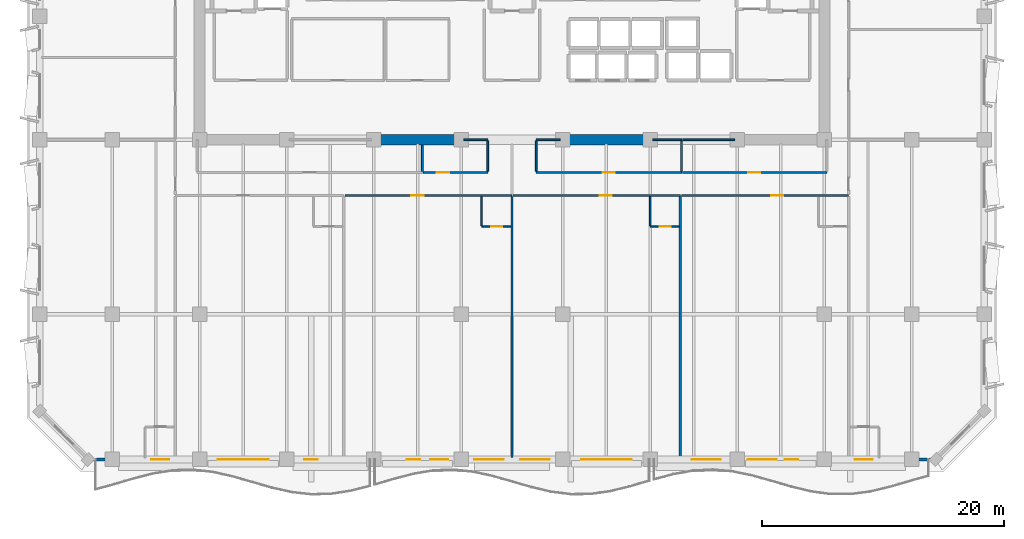
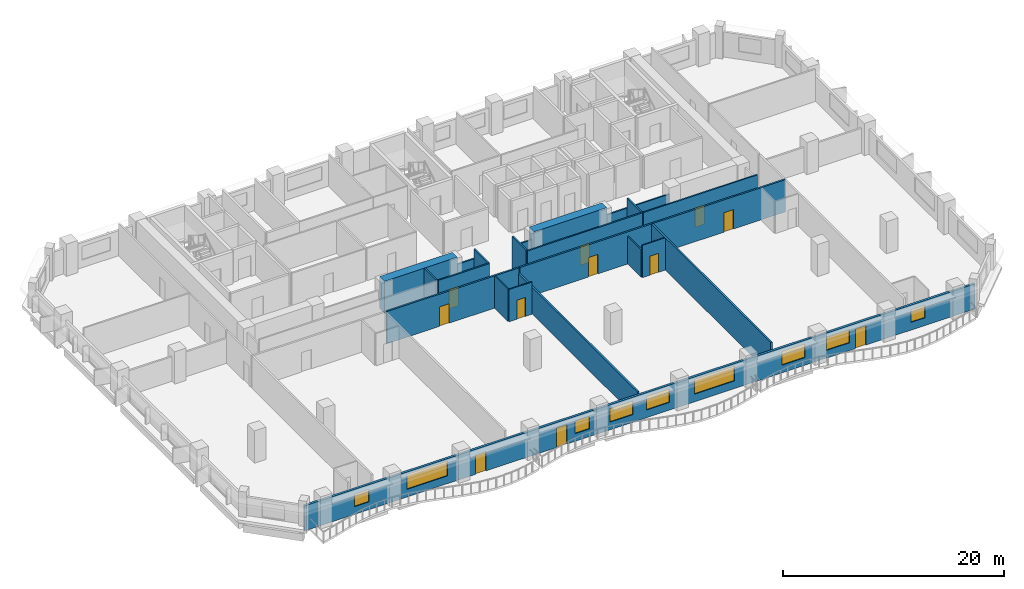
# One storey, part 5 of 14: 23 walls, 11 doors, 9 windows, 20 openings.
"""IFC4 building model written with IfcOpenShell, lengths in metres."""

from ifc_helpers import new_model, si_unit, direction, frame, frame_2d, origin, place, context, subcontext, project, spatial, rectangle, extrude, material, layer, layer_set, type_object, element, fill, save


model = new_model("IFC4")

# Units and contexts
model_context = context("Model", 3, precision=1e-05, world=origin(), true_north=direction((0.0, 1.0)))
body_context = subcontext(model_context, "Body", "Model", "MODEL_VIEW")
ifc_project = project(units=[si_unit("LENGTHUNIT", "METRE"), si_unit("AREAUNIT", "SQUARE_METRE"), si_unit("VOLUMEUNIT", "CUBIC_METRE"), si_unit("PLANEANGLEUNIT", "RADIAN"), si_unit("MASSUNIT", "GRAM", prefix="KILO")], contexts=[model_context])

# Site, building, storey
site_placement = place(None, origin())
site = spatial("IfcSite", under=ifc_project, at=site_placement, CompositionType="ELEMENT")
building_placement = place(site_placement, origin())
building = spatial("IfcBuilding", under=site, at=building_placement, Name="Kaelvorn Grand Hotel", CompositionType="ELEMENT")
storey_placement = place(building_placement, frame((0.0, 0.0, 220.550048828125)))
storey = spatial("IfcBuildingStorey", under=building, at=storey_placement, Name="L54", CompositionType="ELEMENT", Elevation=220.550048828125)

# Walls
ifc_material_1 = material(Name="Concrete C60/75", Category="concrete")
ifc_layer_1 = layer(ifc_material_1, 0.89990234375)
ifc_layer_set_1 = layer_set([ifc_layer_1], Name="Concrete C60/75")
wall_type_1 = type_object("IfcWallType", Name="WL-CORE-900-C60", PredefinedType="SHEAR", material=ifc_layer_set_1)
for number, where, z_axis, x_axis, name in (
    (1, (30.39990234375, 29.39990234375, 0.0), (0.0, 0.0, 1.0), (1.0, 0.0, 0.0), "L54 Rear-Core Coupled Shear Pier S2"),
    (2, (46.0, 29.39990234375, 0.0), (0.0, 0.0, 1.0), (1.0, 0.0, 0.0), "L54 Rear-Core Coupled Shear Pier S3"),
):
    element("IfcWall", number, at=place(storey_placement, frame(where, z_axis=z_axis, x_axis=x_axis)), inside=storey, type_object=wall_type_1, Name=name, PredefinedType="SHEAR", context=body_context, shape_type="SweptSolid", body=[
        extrude(rectangle(XDim=7.60009765625, YDim=0.89990234375, at=frame_2d((3.800048828125, 0.0))), origin(), (0.0, 0.0, 1.0), 3.56005859375),
    ])

# Wall, openings, doors, windows
ifc_material_2 = material(Name="Concrete C40/50", Category="concrete")
ifc_layer_2 = layer(ifc_material_2, 0.239990234375)
ifc_layer_set_2 = layer_set([ifc_layer_2], Name="Concrete C40/50")
wall_type_2 = type_object("IfcWallType", Name="WL-EXT-240-C40", PredefinedType="SOLIDWALL", material=ifc_layer_set_2)
wall_1_placement = place(storey_placement, frame((7.0, 3.0, 0.0), z_axis=(0.0, 0.0, 1.0), x_axis=(1.0, 0.0, 0.0)))
wall_1 = element("IfcWall", 3, at=wall_1_placement, inside=storey, type_object=wall_type_2, Name="L54 Exterior Architectural Concrete Wall 01", PredefinedType="SOLIDWALL", context=body_context, shape_type="SweptSolid", body=[
    extrude(rectangle(XDim=70.0, YDim=0.239990234375, at=frame_2d((35.0, 0.0))), origin(), (0.0, 0.0, 1.0), 2.760009765625),
])
opening_1_placement = place(wall_1_placement, frame((17.859619140625, 0.0, 0.0)))
opening_1 = element("IfcOpeningElement", 4, at=opening_1_placement, cuts=wall_1, Name="Opening DE2", PredefinedType="OPENING", context=body_context, shape_type="SweptSolid", body=[
    extrude(rectangle(XDim=1.10009765625, YDim=2.14990234375, at=frame_2d((0.550048828125, 1.074951171875))), frame((0.0, 0.1298828125, 0.0), z_axis=(0.0, -1.0, 0.0), x_axis=(1.0, 0.0, 0.0)), (0.0, 0.0, 1.0), 0.260009765625),
])
opening_2_placement = place(wall_1_placement, frame((26.316650390625, 0.0, 0.0)))
opening_2 = element("IfcOpeningElement", 5, at=opening_2_placement, cuts=wall_1, Name="Opening DE2", PredefinedType="OPENING", context=body_context, shape_type="SweptSolid", body=[
    extrude(rectangle(XDim=1.10009765625, YDim=2.14990234375, at=frame_2d((0.550048828125, 1.074951171875))), frame((0.0, 0.1298828125, 0.0), z_axis=(0.0, -1.0, 0.0), x_axis=(1.0, 0.0, 0.0)), (0.0, 0.0, 1.0), 0.260009765625),
])
opening_3_placement = place(wall_1_placement, frame((57.5166015625, 0.0, 0.0)))
opening_3 = element("IfcOpeningElement", 6, at=opening_3_placement, cuts=wall_1, Name="Opening DE2", PredefinedType="OPENING", context=body_context, shape_type="SweptSolid", body=[
    extrude(rectangle(XDim=1.10009765625, YDim=2.14990234375, at=frame_2d((0.550048828125, 1.074951171875))), frame((0.0, 0.1298828125, 0.0), z_axis=(0.0, -1.0, 0.0), x_axis=(1.0, 0.0, 0.0)), (0.0, 0.0, 1.0), 0.260009765625),
])
opening_4_placement = place(wall_1_placement, frame((5.199951171875, 0.0, 0.85009765625)))
opening_4 = element("IfcOpeningElement", 7, at=opening_4_placement, cuts=wall_1, Name="Opening W10", PredefinedType="OPENING", context=body_context, shape_type="SweptSolid", body=[
    extrude(rectangle(XDim=1.5, YDim=1.39990234375, at=frame_2d((0.75, 0.699951171875))), frame((0.0, 0.1298828125, 0.0), z_axis=(0.0, -1.0, 0.0), x_axis=(1.0, 0.0, 0.0)), (0.0, 0.0, 1.0), 0.260009765625),
])
opening_5_placement = place(wall_1_placement, frame((10.699951171875, 0.0, 0.85009765625)))
opening_5 = element("IfcOpeningElement", 8, at=opening_5_placement, cuts=wall_1, Name="Opening W2", PredefinedType="OPENING", context=body_context, shape_type="SweptSolid", body=[
    extrude(rectangle(XDim=4.199951171875, YDim=1.64990234375, at=frame_2d((2.10009765625, 0.824951171875))), frame((0.0, 0.1298828125, 0.0), z_axis=(0.0, -1.0, 0.0), x_axis=(1.0, 0.0, 0.0)), (0.0, 0.0, 1.0), 0.260009765625),
])
opening_6_placement = place(wall_1_placement, frame((28.243408203125, 0.0, 0.85009765625)))
opening_6 = element("IfcOpeningElement", 9, at=opening_6_placement, cuts=wall_1, Name="Opening W10", PredefinedType="OPENING", context=body_context, shape_type="SweptSolid", body=[
    extrude(rectangle(XDim=1.5, YDim=1.39990234375, at=frame_2d((0.75, 0.699951171875))), frame((0.0, 0.1298828125, 0.0), z_axis=(0.0, -1.0, 0.0), x_axis=(1.0, 0.0, 0.0)), (0.0, 0.0, 1.0), 0.260009765625),
])
opening_7_placement = place(wall_1_placement, frame((31.89990234375, 0.0, 0.85009765625)))
opening_7 = element("IfcOpeningElement", 10, at=opening_7_placement, cuts=wall_1, Name="Opening W6", PredefinedType="OPENING", context=body_context, shape_type="SweptSolid", body=[
    extrude(rectangle(XDim=2.39990234375, YDim=1.5, at=frame_2d((1.199951171875, 0.75))), frame((0.0, 0.1298828125, 0.0), z_axis=(0.0, -1.0, 0.0), x_axis=(1.0, 0.0, 0.0)), (0.0, 0.0, 1.0), 0.260009765625),
])
opening_8_placement = place(wall_1_placement, frame((35.699951171875, 0.0, 0.85009765625)))
opening_8 = element("IfcOpeningElement", 11, at=opening_8_placement, cuts=wall_1, Name="Opening W6", PredefinedType="OPENING", context=body_context, shape_type="SweptSolid", body=[
    extrude(rectangle(XDim=2.39990234375, YDim=1.5, at=frame_2d((1.199951171875, 0.75))), frame((0.0, 0.1298828125, 0.0), z_axis=(0.0, -1.0, 0.0), x_axis=(1.0, 0.0, 0.0)), (0.0, 0.0, 1.0), 0.260009765625),
])
opening_9_placement = place(wall_1_placement, frame((40.699951171875, 0.0, 0.85009765625)))
opening_9 = element("IfcOpeningElement", 12, at=opening_9_placement, cuts=wall_1, Name="Opening W2", PredefinedType="OPENING", context=body_context, shape_type="SweptSolid", body=[
    extrude(rectangle(XDim=4.199951171875, YDim=1.64990234375, at=frame_2d((2.10009765625, 0.824951171875))), frame((0.0, 0.1298828125, 0.0), z_axis=(0.0, -1.0, 0.0), x_axis=(1.0, 0.0, 0.0)), (0.0, 0.0, 1.0), 0.260009765625),
])
opening_10_placement = place(wall_1_placement, frame((49.85009765625, 0.0, 0.85009765625)))
opening_10 = element("IfcOpeningElement", 13, at=opening_10_placement, cuts=wall_1, Name="Opening W6", PredefinedType="OPENING", context=body_context, shape_type="SweptSolid", body=[
    extrude(rectangle(XDim=2.39990234375, YDim=1.5, at=frame_2d((1.199951171875, 0.75))), frame((0.0, 0.1298828125, 0.0), z_axis=(0.0, -1.0, 0.0), x_axis=(1.0, 0.0, 0.0)), (0.0, 0.0, 1.0), 0.260009765625),
])
opening_11_placement = place(wall_1_placement, frame((54.473388671875, 0.0, 0.85009765625)))
opening_11 = element("IfcOpeningElement", 14, at=opening_11_placement, cuts=wall_1, Name="Opening W6", PredefinedType="OPENING", context=body_context, shape_type="SweptSolid", body=[
    extrude(rectangle(XDim=2.39990234375, YDim=1.5, at=frame_2d((1.199951171875, 0.75))), frame((0.0, 0.1298828125, 0.0), z_axis=(0.0, -1.0, 0.0), x_axis=(1.0, 0.0, 0.0)), (0.0, 0.0, 1.0), 0.260009765625),
])
opening_12_placement = place(wall_1_placement, frame((63.300048828125, 0.0, 0.85009765625)))
opening_12 = element("IfcOpeningElement", 15, at=opening_12_placement, cuts=wall_1, Name="Opening W10", PredefinedType="OPENING", context=body_context, shape_type="SweptSolid", body=[
    extrude(rectangle(XDim=1.5, YDim=1.39990234375, at=frame_2d((0.75, 0.699951171875))), frame((0.0, 0.1298828125, 0.0), z_axis=(0.0, -1.0, 0.0), x_axis=(1.0, 0.0, 0.0)), (0.0, 0.0, 1.0), 0.260009765625),
])
ifc_material_3 = material(Name="Anodised Aluminium", Category="aluminium")
door_type_1 = type_object("IfcDoorType", Name="DR-EXT-BALC-1100x2150", OperationType="NOTDEFINED", PredefinedType="DOOR", material=ifc_material_3)
door_1_placement = place(opening_1_placement, origin())
door_1 = element("IfcDoor", 16, at=door_1_placement, inside=storey, type_object=door_type_1, Name="L54 Scalloped Balcony Glazed Door DE2-1", OperationType="SINGLE_SWING_LEFT", OverallHeight=2.14990234375, OverallWidth=1.10009765625, PredefinedType="DOOR", context=body_context, shape_type="SweptSolid", body=[
    extrude(rectangle(XDim=1.10009765625, YDim=2.14990234375, at=frame_2d((0.550048828125, 1.074951171875))), frame((0.0, 0.02490234375, 0.0), z_axis=(0.0, -1.0, 0.0), x_axis=(1.0, 0.0, 0.0)), (0.0, 0.0, 1.0), 0.050048828125),
])
fill(opening_1, door_1)
door_2_placement = place(opening_2_placement, origin())
door_2 = element("IfcDoor", 17, at=door_2_placement, inside=storey, type_object=door_type_1, Name="L54 Scalloped Balcony Glazed Door DE2-2", OperationType="SINGLE_SWING_RIGHT", OverallHeight=2.14990234375, OverallWidth=1.10009765625, PredefinedType="DOOR", context=body_context, shape_type="SweptSolid", body=[
    extrude(rectangle(XDim=1.10009765625, YDim=2.14990234375, at=frame_2d((0.550048828125, 1.074951171875))), frame((0.0, 0.02490234375, 0.0), z_axis=(0.0, -1.0, 0.0), x_axis=(1.0, 0.0, 0.0)), (0.0, 0.0, 1.0), 0.050048828125),
])
fill(opening_2, door_2)
door_3_placement = place(opening_3_placement, origin())
door_3 = element("IfcDoor", 18, at=door_3_placement, inside=storey, type_object=door_type_1, Name="L54 Scalloped Balcony Glazed Door DE2-3", OperationType="SINGLE_SWING_LEFT", OverallHeight=2.14990234375, OverallWidth=1.10009765625, PredefinedType="DOOR", context=body_context, shape_type="SweptSolid", body=[
    extrude(rectangle(XDim=1.10009765625, YDim=2.14990234375, at=frame_2d((0.550048828125, 1.074951171875))), frame((0.0, 0.02490234375, 0.0), z_axis=(0.0, -1.0, 0.0), x_axis=(1.0, 0.0, 0.0)), (0.0, 0.0, 1.0), 0.050048828125),
])
fill(opening_3, door_3)
ifc_material_4 = material(Name="Laminated Low-E Glass", Category="glass")
window_type_1 = type_object("IfcWindowType", Name="WIN-COR-1500x1400", PartitioningType="SINGLE_PANEL", PredefinedType="WINDOW", material=ifc_material_4)
window_1_placement = place(opening_4_placement, origin())
window_1 = element("IfcWindow", 19, at=window_1_placement, inside=storey, type_object=window_type_1, Name="L54 South Guestroom Ribbon Window SR01", OverallHeight=1.39990234375, OverallWidth=1.5, PartitioningType="SINGLE_PANEL", PredefinedType="WINDOW", context=body_context, shape_type="SweptSolid", body=[
    extrude(rectangle(XDim=1.5, YDim=1.39990234375, at=frame_2d((0.75, 0.699951171875))), frame((0.0, 0.030029296875, 0.0), z_axis=(0.0, -1.0, 0.0), x_axis=(1.0, 0.0, 0.0)), (0.0, 0.0, 1.0), 0.06005859375),
])
fill(opening_4, window_1)
window_2_placement = place(opening_6_placement, origin())
window_2 = element("IfcWindow", 20, at=window_2_placement, inside=storey, type_object=window_type_1, Name="L54 South Guestroom Ribbon Window SR03", OverallHeight=1.39990234375, OverallWidth=1.5, PartitioningType="SINGLE_PANEL", PredefinedType="WINDOW", context=body_context, shape_type="SweptSolid", body=[
    extrude(rectangle(XDim=1.5, YDim=1.39990234375, at=frame_2d((0.75, 0.699951171875))), frame((0.0, 0.030029296875, 0.0), z_axis=(0.0, -1.0, 0.0), x_axis=(1.0, 0.0, 0.0)), (0.0, 0.0, 1.0), 0.06005859375),
])
fill(opening_6, window_2)
window_3_placement = place(opening_12_placement, origin())
window_3 = element("IfcWindow", 21, at=window_3_placement, inside=storey, type_object=window_type_1, Name="L54 South Guestroom Ribbon Window SR09", OverallHeight=1.39990234375, OverallWidth=1.5, PartitioningType="SINGLE_PANEL", PredefinedType="WINDOW", context=body_context, shape_type="SweptSolid", body=[
    extrude(rectangle(XDim=1.5, YDim=1.39990234375, at=frame_2d((0.75, 0.699951171875))), frame((0.0, 0.030029296875, 0.0), z_axis=(0.0, -1.0, 0.0), x_axis=(1.0, 0.0, 0.0)), (0.0, 0.0, 1.0), 0.06005859375),
])
fill(opening_12, window_3)
window_type_2 = type_object("IfcWindowType", Name="WIN-NTH-2400x1500", PartitioningType="SINGLE_PANEL", PredefinedType="WINDOW", material=ifc_material_4)
window_4_placement = place(opening_7_placement, origin())
window_4 = element("IfcWindow", 22, at=window_4_placement, inside=storey, type_object=window_type_2, Name="L54 South Guestroom Ribbon Window SR04", OverallHeight=1.5, OverallWidth=2.39990234375, PartitioningType="SINGLE_PANEL", PredefinedType="WINDOW", context=body_context, shape_type="SweptSolid", body=[
    extrude(rectangle(XDim=2.39990234375, YDim=1.5, at=frame_2d((1.199951171875, 0.75))), frame((0.0, 0.030029296875, 0.0), z_axis=(0.0, -1.0, 0.0), x_axis=(1.0, 0.0, 0.0)), (0.0, 0.0, 1.0), 0.06005859375),
])
fill(opening_7, window_4)
window_5_placement = place(opening_8_placement, origin())
window_5 = element("IfcWindow", 23, at=window_5_placement, inside=storey, type_object=window_type_2, Name="L54 South Guestroom Ribbon Window SR05", OverallHeight=1.5, OverallWidth=2.39990234375, PartitioningType="SINGLE_PANEL", PredefinedType="WINDOW", context=body_context, shape_type="SweptSolid", body=[
    extrude(rectangle(XDim=2.39990234375, YDim=1.5, at=frame_2d((1.199951171875, 0.75))), frame((0.0, 0.030029296875, 0.0), z_axis=(0.0, -1.0, 0.0), x_axis=(1.0, 0.0, 0.0)), (0.0, 0.0, 1.0), 0.06005859375),
])
fill(opening_8, window_5)
window_6_placement = place(opening_10_placement, origin())
window_6 = element("IfcWindow", 24, at=window_6_placement, inside=storey, type_object=window_type_2, Name="L54 South Guestroom Ribbon Window SR07", OverallHeight=1.5, OverallWidth=2.39990234375, PartitioningType="SINGLE_PANEL", PredefinedType="WINDOW", context=body_context, shape_type="SweptSolid", body=[
    extrude(rectangle(XDim=2.39990234375, YDim=1.5, at=frame_2d((1.199951171875, 0.75))), frame((0.0, 0.030029296875, 0.0), z_axis=(0.0, -1.0, 0.0), x_axis=(1.0, 0.0, 0.0)), (0.0, 0.0, 1.0), 0.06005859375),
])
fill(opening_10, window_6)
window_7_placement = place(opening_11_placement, origin())
window_7 = element("IfcWindow", 25, at=window_7_placement, inside=storey, type_object=window_type_2, Name="L54 South Guestroom Ribbon Window SR08", OverallHeight=1.5, OverallWidth=2.39990234375, PartitioningType="SINGLE_PANEL", PredefinedType="WINDOW", context=body_context, shape_type="SweptSolid", body=[
    extrude(rectangle(XDim=2.39990234375, YDim=1.5, at=frame_2d((1.199951171875, 0.75))), frame((0.0, 0.030029296875, 0.0), z_axis=(0.0, -1.0, 0.0), x_axis=(1.0, 0.0, 0.0)), (0.0, 0.0, 1.0), 0.06005859375),
])
fill(opening_11, window_7)
window_type_3 = type_object("IfcWindowType", Name="WIN-RIB-4200x1650", PartitioningType="SINGLE_PANEL", PredefinedType="WINDOW", material=ifc_material_4)
window_8_placement = place(opening_5_placement, origin())
window_8 = element("IfcWindow", 26, at=window_8_placement, inside=storey, type_object=window_type_3, Name="L54 South Guestroom Ribbon Window SR02", OverallHeight=1.64990234375, OverallWidth=4.199951171875, PartitioningType="SINGLE_PANEL", PredefinedType="WINDOW", context=body_context, shape_type="SweptSolid", body=[
    extrude(rectangle(XDim=4.199951171875, YDim=1.64990234375, at=frame_2d((2.10009765625, 0.824951171875))), frame((0.0, 0.030029296875, 0.0), z_axis=(0.0, -1.0, 0.0), x_axis=(1.0, 0.0, 0.0)), (0.0, 0.0, 1.0), 0.06005859375),
])
fill(opening_5, window_8)
window_9_placement = place(opening_9_placement, origin())
window_9 = element("IfcWindow", 27, at=window_9_placement, inside=storey, type_object=window_type_3, Name="L54 South Guestroom Ribbon Window SR06", OverallHeight=1.64990234375, OverallWidth=4.199951171875, PartitioningType="SINGLE_PANEL", PredefinedType="WINDOW", context=body_context, shape_type="SweptSolid", body=[
    extrude(rectangle(XDim=4.199951171875, YDim=1.64990234375, at=frame_2d((2.10009765625, 0.824951171875))), frame((0.0, 0.030029296875, 0.0), z_axis=(0.0, -1.0, 0.0), x_axis=(1.0, 0.0, 0.0)), (0.0, 0.0, 1.0), 0.06005859375),
])
fill(opening_9, window_9)

# Wall, opening, door
ifc_material_5 = material(Name="Moisture-Resistant Tile & Stud Board")
ifc_layer_3 = layer(ifc_material_5, 0.125)
ifc_layer_set_3 = layer_set([ifc_layer_3], Name="Moisture-Resistant Tile & Stud Board")
wall_type_3 = type_object("IfcWallType", Name="WL-PART-125-WET", PredefinedType="PARTITIONING", material=ifc_layer_set_3)
wall_2_placement = place(storey_placement, frame((39.5, 22.25, 0.0), z_axis=(0.0, 0.0, 1.0), x_axis=(1.0, 0.0, 0.0)))
wall_2 = element("IfcWall", 28, at=wall_2_placement, inside=storey, type_object=wall_type_3, Name="L54 En-suite Bathroom L54-02 S Partition", PredefinedType="PARTITIONING", context=body_context, shape_type="SweptSolid", body=[
    extrude(rectangle(XDim=2.405029296875, YDim=0.125, at=frame_2d((1.20263671875, 0.0))), origin(), (0.0, 0.0, 1.0), 3.56005859375),
])
opening_13_placement = place(wall_2_placement, frame((0.800048828125, 0.0, 0.0)))
opening_13 = element("IfcOpeningElement", 29, at=opening_13_placement, cuts=wall_2, Name="Opening DI4", PredefinedType="OPENING", context=body_context, shape_type="SweptSolid", body=[
    extrude(rectangle(XDim=0.89990234375, YDim=2.10009765625, at=frame_2d((0.449951171875, 1.050048828125))), frame((0.0, 0.072509765625, 0.0), z_axis=(0.0, -1.0, 0.0), x_axis=(1.0, 0.0, 0.0)), (0.0, 0.0, 1.0), 0.14501953125),
])
ifc_material_6 = material(Name="Timber Veneer Leaf", Category="wood")
door_type_2 = type_object("IfcDoorType", Name="DR-INT-BATH-900x2100", OperationType="NOTDEFINED", PredefinedType="DOOR", material=ifc_material_6)
door_4_placement = place(opening_13_placement, origin())
door_4 = element("IfcDoor", 30, at=door_4_placement, inside=storey, type_object=door_type_2, Name="L54 En-suite Bathroom L54-02 Door", OperationType="SINGLE_SWING_LEFT", OverallHeight=2.10009765625, OverallWidth=0.89990234375, PredefinedType="DOOR", context=body_context, shape_type="SweptSolid", body=[
    extrude(rectangle(XDim=0.89990234375, YDim=2.10009765625, at=frame_2d((0.449951171875, 1.050048828125))), frame((0.0, 0.02490234375, 0.0), z_axis=(0.0, -1.0, 0.0), x_axis=(1.0, 0.0, 0.0)), (0.0, 0.0, 1.0), 0.050048828125),
])
fill(opening_13, door_4)

# Wall
wall_3_placement = place(storey_placement, frame((39.5, 22.3173828125, 0.0), z_axis=(0.0, 0.0, 1.0), x_axis=(0.0, 1.0, 0.0)))
element("IfcWall", 31, at=wall_3_placement, inside=storey, type_object=wall_type_3, Name="L54 En-suite Bathroom L54-02 W Partition", PredefinedType="PARTITIONING", context=body_context, shape_type="SweptSolid", body=[
    extrude(rectangle(XDim=2.3876953125, YDim=0.125, at=frame_2d((1.19384765625, 0.0))), origin(), (0.0, 0.0, 1.0), 3.56005859375),
])

# Wall, opening, door
wall_4_placement = place(storey_placement, frame((53.39990234375, 22.25, 0.0), z_axis=(0.0, 0.0, 1.0), x_axis=(1.0, 0.0, 0.0)))
wall_4 = element("IfcWall", 32, at=wall_4_placement, inside=storey, type_object=wall_type_3, Name="L54 En-suite Bathroom L54-03 S Partition", PredefinedType="PARTITIONING", context=body_context, shape_type="SweptSolid", body=[
    extrude(rectangle(XDim=2.405029296875, YDim=0.125, at=frame_2d((1.20263671875, 0.0))), origin(), (0.0, 0.0, 1.0), 3.56005859375),
])
opening_14_placement = place(wall_4_placement, frame((0.800048828125, 0.0, 0.0)))
opening_14 = element("IfcOpeningElement", 33, at=opening_14_placement, cuts=wall_4, Name="Opening DI4", PredefinedType="OPENING", context=body_context, shape_type="SweptSolid", body=[
    extrude(rectangle(XDim=0.89990234375, YDim=2.10009765625, at=frame_2d((0.449951171875, 1.050048828125))), frame((0.0, 0.072509765625, 0.0), z_axis=(0.0, -1.0, 0.0), x_axis=(1.0, 0.0, 0.0)), (0.0, 0.0, 1.0), 0.14501953125),
])
door_5_placement = place(opening_14_placement, origin())
door_5 = element("IfcDoor", 34, at=door_5_placement, inside=storey, type_object=door_type_2, Name="L54 En-suite Bathroom L54-03 Door", OperationType="SINGLE_SWING_LEFT", OverallHeight=2.10009765625, OverallWidth=0.89990234375, PredefinedType="DOOR", context=body_context, shape_type="SweptSolid", body=[
    extrude(rectangle(XDim=0.89990234375, YDim=2.10009765625, at=frame_2d((0.449951171875, 1.050048828125))), frame((0.0, 0.02490234375, 0.0), z_axis=(0.0, -1.0, 0.0), x_axis=(1.0, 0.0, 0.0)), (0.0, 0.0, 1.0), 0.050048828125),
])
fill(opening_14, door_5)

# Walls
wall_5_placement = place(storey_placement, frame((53.39990234375, 22.3173828125, 0.0), z_axis=(0.0, 0.0, 1.0), x_axis=(0.0, 1.0, 0.0)))
element("IfcWall", 35, at=wall_5_placement, inside=storey, type_object=wall_type_3, Name="L54 En-suite Bathroom L54-03 W Partition", PredefinedType="PARTITIONING", context=body_context, shape_type="SweptSolid", body=[
    extrude(rectangle(XDim=2.3876953125, YDim=0.125, at=frame_2d((1.19384765625, 0.0))), origin(), (0.0, 0.0, 1.0), 3.06005859375),
])
ifc_material_7 = material(Name="Acoustic Gypsum & Stud Partition")
ifc_layer_4 = layer(ifc_material_7, 0.14990234375)
ifc_layer_set_4 = layer_set([ifc_layer_4], Name="Acoustic Gypsum & Stud Partition")
wall_type_4 = type_object("IfcWallType", Name="WL-PART-150-EI60", PredefinedType="PARTITIONING", material=ifc_layer_set_4)
wall_6_placement = place(storey_placement, frame((34.60009765625, 26.780029296875, 0.0), z_axis=(0.0, 0.0, 1.0), x_axis=(0.0, 1.0, 0.0)))
element("IfcWall", 36, at=wall_6_placement, inside=storey, type_object=wall_type_4, Name="L54 Botanical Conservatory Salon E Partition", PredefinedType="PARTITIONING", context=body_context, shape_type="SweptSolid", body=[
    extrude(rectangle(XDim=2.1650390625, YDim=0.14990234375, at=frame_2d((1.08251953125, 0.0))), origin(), (0.0, 0.0, 1.0), 3.56005859375),
])

# Wall, opening, door
wall_7_placement = place(storey_placement, frame((34.679931640625, 26.699951171875, 0.0), z_axis=(0.0, 0.0, 1.0), x_axis=(1.0, 0.0, 0.0)))
wall_7 = element("IfcWall", 37, at=wall_7_placement, inside=storey, type_object=wall_type_4, Name="L54 Catering Servery Kitchen S Partition", PredefinedType="PARTITIONING", context=body_context, shape_type="SweptSolid", body=[
    extrude(rectangle(XDim=5.320068359375, YDim=0.14990234375, at=frame_2d((2.66015625, 0.0))), origin(), (0.0, 0.0, 1.0), 3.56005859375),
])
opening_15_placement = place(wall_7_placement, frame((1.1201171875, 0.0, 0.0)))
opening_15 = element("IfcOpeningElement", 38, at=opening_15_placement, cuts=wall_7, Name="Opening DI3", PredefinedType="OPENING", context=body_context, shape_type="SweptSolid", body=[
    extrude(rectangle(XDim=1.0, YDim=2.14990234375, at=frame_2d((0.5, 1.074951171875))), frame((0.0, 0.0849609375, 0.0), z_axis=(0.0, -1.0, 0.0), x_axis=(1.0, 0.0, 0.0)), (0.0, 0.0, 1.0), 0.169921875),
])
ifc_material_8 = material(Name="Timber Veneer Fire Leaf", Category="wood")
door_type_3 = type_object("IfcDoorType", Name="DR-INT-GUEST-1000x2150", OperationType="NOTDEFINED", PredefinedType="DOOR", material=ifc_material_8)
door_6_placement = place(opening_15_placement, origin())
door_6 = element("IfcDoor", 39, at=door_6_placement, inside=storey, type_object=door_type_3, Name="L54 Catering Servery Kitchen Door", OperationType="SINGLE_SWING_LEFT", OverallHeight=2.14990234375, OverallWidth=1.0, PredefinedType="DOOR", context=body_context, shape_type="SweptSolid", body=[
    extrude(rectangle(XDim=1.0, YDim=2.14990234375, at=frame_2d((0.5, 1.074951171875))), frame((0.0, 0.02490234375, 0.0), z_axis=(0.0, -1.0, 0.0), x_axis=(1.0, 0.0, 0.0)), (0.0, 0.0, 1.0), 0.050048828125),
])
fill(opening_15, door_6)

# Walls
wall_8_placement = place(storey_placement, frame((38.010009765625, 29.39990234375, 0.0), z_axis=(0.0, 0.0, 1.0), x_axis=(1.0, 0.0, 0.0)))
element("IfcWall", 40, at=wall_8_placement, inside=storey, type_object=wall_type_4, Name="L54 Catering Servery Kitchen N Partition", PredefinedType="PARTITIONING", context=body_context, shape_type="SweptSolid", body=[
    extrude(rectangle(XDim=1.989990234375, YDim=0.14990234375, at=frame_2d((0.9951171875, 0.0))), origin(), (0.0, 0.0, 1.0), 2.4599609375),
])
wall_9_placement = place(storey_placement, frame((40.0, 26.780029296875, 0.0), z_axis=(0.0, 0.0, 1.0), x_axis=(0.0, 1.0, 0.0)))
element("IfcWall", 41, at=wall_9_placement, inside=storey, type_object=wall_type_4, Name="L54 Catering Servery Kitchen E Partition", PredefinedType="PARTITIONING", context=body_context, shape_type="SweptSolid", body=[
    extrude(rectangle(XDim=2.5400390625, YDim=0.14990234375, at=frame_2d((1.27001953125, 0.0))), origin(), (0.0, 0.0, 1.0), 3.56005859375),
])

# Wall, opening, door
wall_10_placement = place(storey_placement, frame((44.0, 26.699951171875, 0.0), z_axis=(0.0, 0.0, 1.0), x_axis=(1.0, 0.0, 0.0)))
wall_10 = element("IfcWall", 42, at=wall_10_placement, inside=storey, type_object=wall_type_4, Name="L54 Presidential Living Room S Partition", PredefinedType="PARTITIONING", context=body_context, shape_type="SweptSolid", body=[
    extrude(rectangle(XDim=12.0, YDim=0.14990234375, at=frame_2d((6.0, 0.0))), origin(), (0.0, 0.0, 1.0), 3.56005859375),
])
opening_16_placement = place(wall_10_placement, frame((5.5, 0.0, 0.0)))
opening_16 = element("IfcOpeningElement", 43, at=opening_16_placement, cuts=wall_10, Name="Opening DI3", PredefinedType="OPENING", context=body_context, shape_type="SweptSolid", body=[
    extrude(rectangle(XDim=1.0, YDim=2.14990234375, at=frame_2d((0.5, 1.074951171875))), frame((0.0, 0.0849609375, 0.0), z_axis=(0.0, -1.0, 0.0), x_axis=(1.0, 0.0, 0.0)), (0.0, 0.0, 1.0), 0.169921875),
])
door_7_placement = place(opening_16_placement, origin())
door_7 = element("IfcDoor", 44, at=door_7_placement, inside=storey, type_object=door_type_3, Name="L54 Presidential Living Room Door", OperationType="SINGLE_SWING_RIGHT", OverallHeight=2.14990234375, OverallWidth=1.0, PredefinedType="DOOR", context=body_context, shape_type="SweptSolid", body=[
    extrude(rectangle(XDim=1.0, YDim=2.14990234375, at=frame_2d((0.5, 1.074951171875))), frame((0.0, 0.02490234375, 0.0), z_axis=(0.0, -1.0, 0.0), x_axis=(1.0, 0.0, 0.0)), (0.0, 0.0, 1.0), 0.050048828125),
])
fill(opening_16, door_7)

# Walls
wall_11_placement = place(storey_placement, frame((44.0, 29.39990234375, 0.0), z_axis=(0.0, 0.0, 1.0), x_axis=(1.0, 0.0, 0.0)))
element("IfcWall", 45, at=wall_11_placement, inside=storey, type_object=wall_type_4, Name="L54 Presidential Living Room N Partition (1)", PredefinedType="PARTITIONING", context=body_context, shape_type="SweptSolid", body=[
    extrude(rectangle(XDim=1.989990234375, YDim=0.14990234375, at=frame_2d((0.9951171875, 0.0))), origin(), (0.0, 0.0, 1.0), 2.4599609375),
])
wall_12_placement = place(storey_placement, frame((53.610107421875, 29.39990234375, 0.0), z_axis=(0.0, 0.0, 1.0), x_axis=(1.0, 0.0, 0.0)))
element("IfcWall", 46, at=wall_12_placement, inside=storey, type_object=wall_type_4, Name="L54 Presidential Living Room N Partition (2)", PredefinedType="PARTITIONING", context=body_context, shape_type="SweptSolid", body=[
    extrude(rectangle(XDim=2.389892578125, YDim=0.14990234375, at=frame_2d((1.19482421875, 0.0))), origin(), (0.0, 0.0, 1.0), 2.4599609375),
])
for number, where, z_axis, x_axis, name in (
    (47, (44.0, 26.780029296875, 0.0), (0.0, 0.0, 1.0), (0.0, 1.0, 0.0), "L54 Presidential Living Room W Partition"),
    (48, (56.0, 26.780029296875, 0.0), (0.0, 0.0, 1.0), (0.0, 1.0, 0.0), "L54 Presidential Living Room E Partition"),
):
    element("IfcWall", number, at=place(storey_placement, frame(where, z_axis=z_axis, x_axis=x_axis)), inside=storey, type_object=wall_type_4, Name=name, PredefinedType="PARTITIONING", context=body_context, shape_type="SweptSolid", body=[
        extrude(rectangle(XDim=2.5400390625, YDim=0.14990234375, at=frame_2d((1.27001953125, 0.0))), origin(), (0.0, 0.0, 1.0), 3.56005859375),
    ])

# Wall, opening, door
wall_13_placement = place(storey_placement, frame((56.080078125, 26.699951171875, 0.0), z_axis=(0.0, 0.0, 1.0), x_axis=(1.0, 0.0, 0.0)))
wall_13 = element("IfcWall", 49, at=wall_13_placement, inside=storey, type_object=wall_type_4, Name="L54 Trade Advisory Office S Partition", PredefinedType="PARTITIONING", context=body_context, shape_type="SweptSolid", body=[
    extrude(rectangle(XDim=11.919921875, YDim=0.14990234375, at=frame_2d((5.9599609375, 0.0))), origin(), (0.0, 0.0, 1.0), 3.56005859375),
])
opening_17_placement = place(wall_13_placement, frame((5.419921875, 0.0, 0.0)))
opening_17 = element("IfcOpeningElement", 50, at=opening_17_placement, cuts=wall_13, Name="Opening DI3", PredefinedType="OPENING", context=body_context, shape_type="SweptSolid", body=[
    extrude(rectangle(XDim=1.0, YDim=2.14990234375, at=frame_2d((0.5, 1.074951171875))), frame((0.0, 0.0849609375, 0.0), z_axis=(0.0, -1.0, 0.0), x_axis=(1.0, 0.0, 0.0)), (0.0, 0.0, 1.0), 0.169921875),
])
door_8_placement = place(opening_17_placement, origin())
door_8 = element("IfcDoor", 51, at=door_8_placement, inside=storey, type_object=door_type_3, Name="L54 Trade Advisory Office Door", OperationType="SINGLE_SWING_LEFT", OverallHeight=2.14990234375, OverallWidth=1.0, PredefinedType="DOOR", context=body_context, shape_type="SweptSolid", body=[
    extrude(rectangle(XDim=1.0, YDim=2.14990234375, at=frame_2d((0.5, 1.074951171875))), frame((0.0, 0.02490234375, 0.0), z_axis=(0.0, -1.0, 0.0), x_axis=(1.0, 0.0, 0.0)), (0.0, 0.0, 1.0), 0.050048828125),
])
fill(opening_17, door_8)

# Wall
wall_14_placement = place(storey_placement, frame((56.080078125, 29.39990234375, 0.0), z_axis=(0.0, 0.0, 1.0), x_axis=(1.0, 0.0, 0.0)))
element("IfcWall", 52, at=wall_14_placement, inside=storey, type_object=wall_type_4, Name="L54 Trade Advisory Office N Partition", PredefinedType="PARTITIONING", context=body_context, shape_type="SweptSolid", body=[
    extrude(rectangle(XDim=4.309814453125, YDim=0.14990234375, at=frame_2d((2.15478515625, 0.0))), origin(), (0.0, 0.0, 1.0), 2.4599609375),
])

# Wall, opening, door
ifc_layer_5 = layer(ifc_material_7, 0.179931640625)
ifc_layer_set_5 = layer_set([ifc_layer_5], Name="Acoustic Gypsum & Stud Partition")
wall_type_5 = type_object("IfcWallType", Name="WL-PART-180-EI60", PredefinedType="PARTITIONING", material=ifc_layer_set_5)
wall_15_placement = place(storey_placement, frame((28.195068359375, 24.800048828125, 0.0), z_axis=(0.0, 0.0, 1.0), x_axis=(1.0, 0.0, 0.0)))
wall_15 = element("IfcWall", 53, at=wall_15_placement, inside=storey, type_object=wall_type_5, Name="L54 Presidential Sky Suite L54-02 N Partition", PredefinedType="PARTITIONING", context=body_context, shape_type="SweptSolid", body=[
    extrude(rectangle(XDim=13.804931640625, YDim=0.179931640625, at=frame_2d((6.90234375, 0.0))), origin(), (0.0, 0.0, 1.0), 3.56005859375),
])
opening_18_placement = place(wall_15_placement, frame((5.5048828125, 0.0, 0.0)))
opening_18 = element("IfcOpeningElement", 54, at=opening_18_placement, cuts=wall_15, Name="Opening DI3", PredefinedType="OPENING", context=body_context, shape_type="SweptSolid", body=[
    extrude(rectangle(XDim=1.0, YDim=2.14990234375, at=frame_2d((0.5, 1.074951171875))), frame((0.0, 0.10009765625, 0.0), z_axis=(0.0, -1.0, 0.0), x_axis=(1.0, 0.0, 0.0)), (0.0, 0.0, 1.0), 0.199951171875),
])
door_9_placement = place(opening_18_placement, origin())
door_9 = element("IfcDoor", 55, at=door_9_placement, inside=storey, type_object=door_type_3, Name="L54 Presidential Sky Suite L54-02 Door", OperationType="SINGLE_SWING_RIGHT", OverallHeight=2.14990234375, OverallWidth=1.0, PredefinedType="DOOR", context=body_context, shape_type="SweptSolid", body=[
    extrude(rectangle(XDim=1.0, YDim=2.14990234375, at=frame_2d((0.5, 1.074951171875))), frame((0.0, 0.02490234375, 0.0), z_axis=(0.0, -1.0, 0.0), x_axis=(1.0, 0.0, 0.0)), (0.0, 0.0, 1.0), 0.050048828125),
])
fill(opening_18, door_9)

# Wall
wall_16_placement = place(storey_placement, frame((42.0, 3.14990234375, 0.0), z_axis=(0.0, 0.0, 1.0), x_axis=(0.0, 1.0, 0.0)))
element("IfcWall", 56, at=wall_16_placement, inside=storey, type_object=wall_type_5, Name="L54 Presidential Sky Suite L54-02 E Partition", PredefinedType="PARTITIONING", context=body_context, shape_type="SweptSolid", body=[
    extrude(rectangle(XDim=21.55517578125, YDim=0.179931640625, at=frame_2d((10.777587890625, 0.0))), origin(), (0.0, 0.0, 1.0), 2.9599609375),
])

# Wall, opening, door
wall_17_placement = place(storey_placement, frame((42.094970703125, 24.800048828125, 0.0), z_axis=(0.0, 0.0, 1.0), x_axis=(1.0, 0.0, 0.0)))
wall_17 = element("IfcWall", 57, at=wall_17_placement, inside=storey, type_object=wall_type_5, Name="L54 Presidential Sky Suite L54-03 N Partition", PredefinedType="PARTITIONING", context=body_context, shape_type="SweptSolid", body=[
    extrude(rectangle(XDim=13.804931640625, YDim=0.179931640625, at=frame_2d((6.90234375, 0.0))), origin(), (0.0, 0.0, 1.0), 3.56005859375),
])
opening_19_placement = place(wall_17_placement, frame((7.14501953125, 0.0, 0.0)))
opening_19 = element("IfcOpeningElement", 58, at=opening_19_placement, cuts=wall_17, Name="Opening DI3", PredefinedType="OPENING", context=body_context, shape_type="SweptSolid", body=[
    extrude(rectangle(XDim=1.0, YDim=2.14990234375, at=frame_2d((0.5, 1.074951171875))), frame((0.0, 0.10009765625, 0.0), z_axis=(0.0, -1.0, 0.0), x_axis=(1.0, 0.0, 0.0)), (0.0, 0.0, 1.0), 0.199951171875),
])
door_10_placement = place(opening_19_placement, origin())
door_10 = element("IfcDoor", 59, at=door_10_placement, inside=storey, type_object=door_type_3, Name="L54 Presidential Sky Suite L54-03 Door", OperationType="SINGLE_SWING_RIGHT", OverallHeight=2.14990234375, OverallWidth=1.0, PredefinedType="DOOR", context=body_context, shape_type="SweptSolid", body=[
    extrude(rectangle(XDim=1.0, YDim=2.14990234375, at=frame_2d((0.5, 1.074951171875))), frame((0.0, 0.02490234375, 0.0), z_axis=(0.0, -1.0, 0.0), x_axis=(1.0, 0.0, 0.0)), (0.0, 0.0, 1.0), 0.050048828125),
])
fill(opening_19, door_10)

# Wall
wall_18_placement = place(storey_placement, frame((55.89990234375, 3.14990234375, 0.0), z_axis=(0.0, 0.0, 1.0), x_axis=(0.0, 1.0, 0.0)))
element("IfcWall", 60, at=wall_18_placement, inside=storey, type_object=wall_type_5, Name="L54 Presidential Sky Suite L54-03 E Partition", PredefinedType="PARTITIONING", context=body_context, shape_type="SweptSolid", body=[
    extrude(rectangle(XDim=21.55517578125, YDim=0.179931640625, at=frame_2d((10.777587890625, 0.0))), origin(), (0.0, 0.0, 1.0), 3.56005859375),
])

# Wall, opening, door
wall_19_placement = place(storey_placement, frame((55.9951171875, 24.800048828125, 0.0), z_axis=(0.0, 0.0, 1.0), x_axis=(1.0, 0.0, 0.0)))
wall_19 = element("IfcWall", 61, at=wall_19_placement, inside=storey, type_object=wall_type_5, Name="L54 Presidential Sky Suite L54-04 N Partition", PredefinedType="PARTITIONING", context=body_context, shape_type="SweptSolid", body=[
    extrude(rectangle(XDim=13.804931640625, YDim=0.179931640625, at=frame_2d((6.90234375, 0.0))), origin(), (0.0, 0.0, 1.0), 3.56005859375),
])
opening_20_placement = place(wall_19_placement, frame((7.39501953125, 0.0, 0.0)))
opening_20 = element("IfcOpeningElement", 62, at=opening_20_placement, cuts=wall_19, Name="Opening DI3", PredefinedType="OPENING", context=body_context, shape_type="SweptSolid", body=[
    extrude(rectangle(XDim=1.0, YDim=2.14990234375, at=frame_2d((0.5, 1.074951171875))), frame((0.0, 0.10009765625, 0.0), z_axis=(0.0, -1.0, 0.0), x_axis=(1.0, 0.0, 0.0)), (0.0, 0.0, 1.0), 0.199951171875),
])
door_11_placement = place(opening_20_placement, origin())
door_11 = element("IfcDoor", 63, at=door_11_placement, inside=storey, type_object=door_type_3, Name="L54 Presidential Sky Suite L54-04 Door", OperationType="SINGLE_SWING_RIGHT", OverallHeight=2.14990234375, OverallWidth=1.0, PredefinedType="DOOR", context=body_context, shape_type="SweptSolid", body=[
    extrude(rectangle(XDim=1.0, YDim=2.14990234375, at=frame_2d((0.5, 1.074951171875))), frame((0.0, 0.02490234375, 0.0), z_axis=(0.0, -1.0, 0.0), x_axis=(1.0, 0.0, 0.0)), (0.0, 0.0, 1.0), 0.050048828125),
])
fill(opening_20, door_11)

save(model, "model.ifc")
